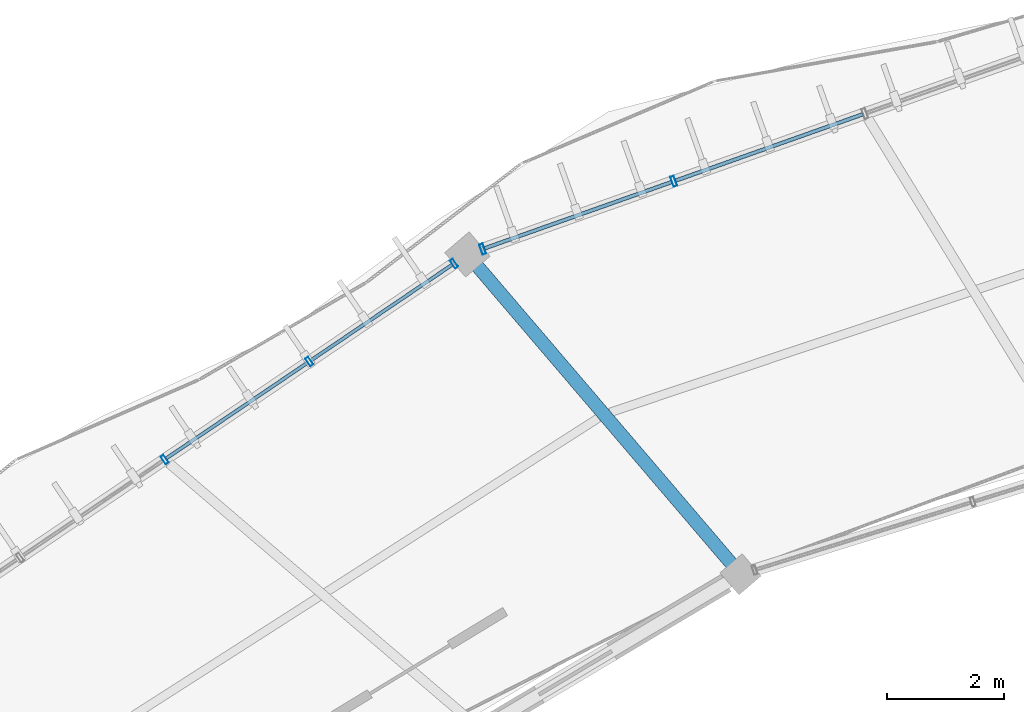
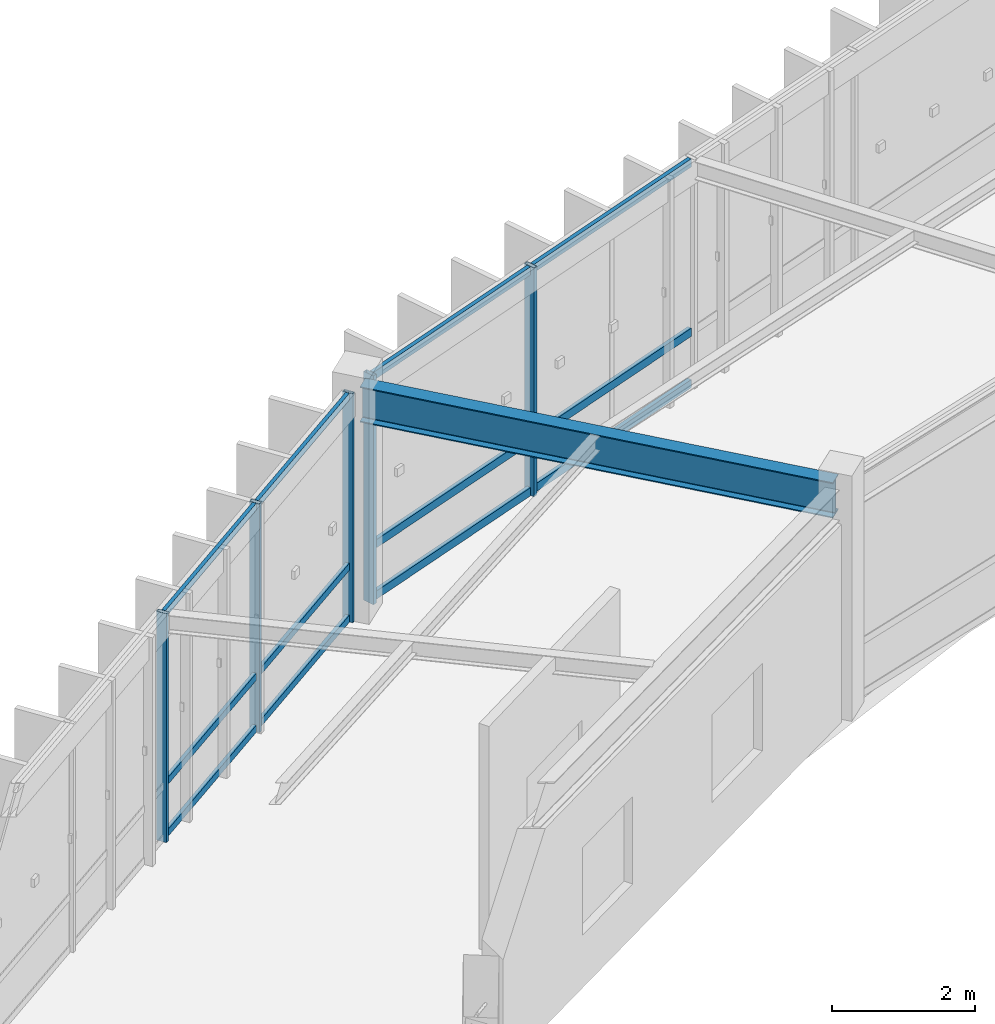
# One storey, part 29 of 79: 17 members, 1 beam, 2 elements without a shape of their own.
"""IFC4 building model written with IfcOpenShell, lengths in metres."""

from ifc_helpers import new_model, si_unit, direction, frame, origin, origin_2d, place, context, subcontext, project, spatial, hollow_rectangle, i_section, extrude, material, material_profile, profile_set, type_object, element, aggregate, save


model = new_model("IFC4")

# Units and contexts
model_context = context("Model", 3, precision=1e-05, world=origin(), true_north=direction((0.0, 1.0)))
body_context = subcontext(model_context, "Body", "Model", "MODEL_VIEW")
ifc_project = project(units=[si_unit("LENGTHUNIT", "METRE"), si_unit("AREAUNIT", "SQUARE_METRE"), si_unit("VOLUMEUNIT", "CUBIC_METRE"), si_unit("PLANEANGLEUNIT", "RADIAN"), si_unit("MASSUNIT", "GRAM", prefix="KILO"), si_unit("THERMODYNAMICTEMPERATUREUNIT", "KELVIN"), si_unit("POWERUNIT", "WATT")], contexts=[model_context])

# Site, building, storey
site_placement = place(None, origin())
site = spatial("IfcSite", under=ifc_project, at=site_placement, CompositionType="ELEMENT")
building_placement = place(site_placement, origin())
building = spatial("IfcBuilding", under=site, at=building_placement, Name="Darbajah Civic Hall", CompositionType="ELEMENT")
storey_placement = place(building_placement, frame((0.0, 0.0, 22.199951171875)))
storey = spatial("IfcBuildingStorey", under=building, at=storey_placement, Name="L05", CompositionType="ELEMENT", Elevation=22.199951171875)

# Curtain wall, members
ifc_material_1 = material(Name="Anodised Bronze Aluminium and Low-E Glazing", Category="aluminium")
curtain_wall_type_1 = type_object("IfcCurtainWallType", Name="Unitised Curtain Wall CW-81 12000x3900", PredefinedType="USERDEFINED", material=ifc_material_1)
curtain_wall_1_placement = place(storey_placement, origin())
curtain_wall_1 = element("IfcCurtainWall", 1, at=curtain_wall_1_placement, inside=storey, type_object=curtain_wall_type_1, Name="L05 unitised curtain wall CW-V1O-L05-07", ObjectType="UNITISED CURTAIN WALL", PredefinedType="USERDEFINED")
ifc_material_2 = material(Name="Anodised Bronze Aluminium", Category="aluminium")
ifc_material_profile_1 = material_profile(ifc_material_2, hollow_rectangle(XDim=0.06005859375, YDim=0.159912109375, WallThickness=0.00341796875, at=origin_2d()), Name="ALU MULLION 60x160")
ifc_profile_set_1 = profile_set([ifc_material_profile_1], Name="Anodised Bronze Aluminium")
member_type_1 = type_object("IfcMemberType", Name="ALU MULLION 60x160", PredefinedType="MULLION", material=ifc_profile_set_1)
member_1_placement = place(storey_placement, frame((55.748779296875, 112.07666015625, 0.0), z_axis=(0.0, 0.0, 1.0), x_axis=(-0.827962472047, -0.560783509816, 0.0)))
member_1 = element("IfcMember", 2, at=member_1_placement, type_object=member_type_1, Name="CW-V1O-L05-07 mullion 1", PredefinedType="MULLION", context=body_context, shape_type="SweptSolid", body=[
    extrude(hollow_rectangle(XDim=0.06005859375, YDim=0.159912109375, WallThickness=0.00341796875, at=origin_2d()), origin(), (0.0, 0.0, 1.0), 3.920166015625),
])
member_2_placement = place(storey_placement, frame((53.272705078125, 110.39990234375, 0.0), z_axis=(0.0, 0.0, 1.0), x_axis=(-0.827962472047, -0.560783509816, 0.0)))
member_2 = element("IfcMember", 3, at=member_2_placement, type_object=member_type_1, Name="CW-V1O-L05-07 mullion 2", PredefinedType="MULLION", context=body_context, shape_type="SweptSolid", body=[
    extrude(hollow_rectangle(XDim=0.06005859375, YDim=0.159912109375, WallThickness=0.00341796875, at=origin_2d()), origin(), (0.0, 0.0, 1.0), 3.920166015625),
])
member_3_placement = place(storey_placement, frame((50.796875, 108.722900390625, 0.0), z_axis=(0.0, 0.0, 1.0), x_axis=(-0.827962472047, -0.560783509816, 0.0)))
member_3 = element("IfcMember", 4, at=member_3_placement, type_object=member_type_1, Name="CW-V1O-L05-07 mullion 3", PredefinedType="MULLION", context=body_context, shape_type="SweptSolid", body=[
    extrude(hollow_rectangle(XDim=0.06005859375, YDim=0.159912109375, WallThickness=0.00341796875, at=origin_2d()), origin(), (0.0, 0.0, 1.0), 3.920166015625),
])

curtain_wall_type_2 = type_object("IfcCurtainWallType", Name="Unitised Curtain Wall CW-80 13900x3900", PredefinedType="USERDEFINED", material=ifc_material_1)
curtain_wall_2_placement = place(storey_placement, origin())
curtain_wall_2 = element("IfcCurtainWall", 5, at=curtain_wall_2_placement, inside=storey, type_object=curtain_wall_type_2, Name="L05 unitised curtain wall CW-V1O-L05-06", ObjectType="UNITISED CURTAIN WALL", PredefinedType="USERDEFINED")
ifc_material_profile_2 = material_profile(ifc_material_2, hollow_rectangle(XDim=0.06494140625, YDim=0.179931640625, WallThickness=0.00390625, at=origin_2d()), Name="ALU MULLION 65x180")
ifc_profile_set_2 = profile_set([ifc_material_profile_2], Name="Anodised Bronze Aluminium")
member_type_2 = type_object("IfcMemberType", Name="ALU MULLION 65x180", PredefinedType="MULLION", material=ifc_profile_set_2)
member_4_placement = place(storey_placement, frame((59.510009765625, 113.48388671875, 0.0), z_axis=(0.0, 0.0, 1.0), x_axis=(-0.94252491309, -0.334135882844, 0.0)))
member_4 = element("IfcMember", 6, at=member_4_placement, type_object=member_type_2, Name="CW-V1O-L05-06 mullion 4", PredefinedType="MULLION", context=body_context, shape_type="SweptSolid", body=[
    extrude(hollow_rectangle(XDim=0.06494140625, YDim=0.179931640625, WallThickness=0.00390625, at=origin_2d()), origin(), (0.0, 0.0, 1.0), 3.920166015625),
])
member_5_placement = place(storey_placement, frame((56.2392578125, 112.324462890625, 0.0), z_axis=(0.0, 0.0, 1.0), x_axis=(-0.94252491309, -0.334135882844, 0.0)))
member_5 = element("IfcMember", 7, at=member_5_placement, type_object=member_type_2, Name="CW-V1O-L05-06 mullion 5", PredefinedType="MULLION", context=body_context, shape_type="SweptSolid", body=[
    extrude(hollow_rectangle(XDim=0.06494140625, YDim=0.179931640625, WallThickness=0.00390625, at=origin_2d()), origin(), (0.0, 0.0, 1.0), 3.920166015625),
])

# Member
ifc_material_profile_3 = material_profile(ifc_material_2, hollow_rectangle(XDim=0.06005859375, YDim=0.1201171875, WallThickness=0.003173828125, at=origin_2d()), Name="ALU TRANSOM 60x120")
ifc_profile_set_3 = profile_set([ifc_material_profile_3], Name="Anodised Bronze Aluminium")
member_type_3 = type_object("IfcMemberType", Name="ALU TRANSOM 60x120", PredefinedType="USERDEFINED", material=ifc_profile_set_3)
member_6_placement = place(storey_placement, frame((55.7197265625, 112.05712890625, 0.06005859375), z_axis=(-0.827963766836, -0.560781598135, 0.0), x_axis=(0.560781598135, -0.827963766836, 0.0)))
member_6 = element("IfcMember", 8, at=member_6_placement, type_object=member_type_3, Name="CW-V1O-L05-07 transom 1.1", ObjectType="TRANSOM", PredefinedType="USERDEFINED", context=body_context, shape_type="SweptSolid", body=[
    extrude(hollow_rectangle(XDim=0.06005859375, YDim=0.1201171875, WallThickness=0.003173828125, at=origin_2d()), origin(), (0.0, 0.0, 1.0), 2.92041015625),
])

member_7_placement = place(storey_placement, frame((55.7197265625, 112.05712890625, 0.949951171875), z_axis=(-0.827963766836, -0.560781598135, 0.0), x_axis=(0.560781598135, -0.827963766836, 0.0)))
member_7 = element("IfcMember", 9, at=member_7_placement, type_object=member_type_3, Name="CW-V1O-L05-07 transom 1.2", ObjectType="TRANSOM", PredefinedType="USERDEFINED", context=body_context, shape_type="SweptSolid", body=[
    extrude(hollow_rectangle(XDim=0.06005859375, YDim=0.1201171875, WallThickness=0.003173828125, at=origin_2d()), origin(), (0.0, 0.0, 1.0), 2.92041015625),
])

member_8_placement = place(storey_placement, frame((55.7197265625, 112.05712890625, 3.860107421875), z_axis=(-0.827963766836, -0.560781598135, 0.0), x_axis=(0.560781598135, -0.827963766836, 0.0)))
member_8 = element("IfcMember", 10, at=member_8_placement, type_object=member_type_3, Name="CW-V1O-L05-07 transom 1.3", ObjectType="TRANSOM", PredefinedType="USERDEFINED", context=body_context, shape_type="SweptSolid", body=[
    extrude(hollow_rectangle(XDim=0.06005859375, YDim=0.1201171875, WallThickness=0.003173828125, at=origin_2d()), origin(), (0.0, 0.0, 1.0), 2.92041015625),
])

member_9_placement = place(storey_placement, frame((53.243896484375, 110.380126953125, 0.06005859375), z_axis=(-0.827990053962, -0.560742784652, 0.0), x_axis=(0.560742784652, -0.827990053962, 0.0)))
member_9 = element("IfcMember", 11, at=member_9_placement, type_object=member_type_3, Name="CW-V1O-L05-07 transom 2.1", ObjectType="TRANSOM", PredefinedType="USERDEFINED", context=body_context, shape_type="SweptSolid", body=[
    extrude(hollow_rectangle(XDim=0.06005859375, YDim=0.1201171875, WallThickness=0.003173828125, at=origin_2d()), origin(), (0.0, 0.0, 1.0), 2.920654296875),
])

member_10_placement = place(storey_placement, frame((53.243896484375, 110.380126953125, 0.949951171875), z_axis=(-0.827990053962, -0.560742784652, 0.0), x_axis=(0.560742784652, -0.827990053962, 0.0)))
member_10 = element("IfcMember", 12, at=member_10_placement, type_object=member_type_3, Name="CW-V1O-L05-07 transom 2.2", ObjectType="TRANSOM", PredefinedType="USERDEFINED", context=body_context, shape_type="SweptSolid", body=[
    extrude(hollow_rectangle(XDim=0.06005859375, YDim=0.1201171875, WallThickness=0.003173828125, at=origin_2d()), origin(), (0.0, 0.0, 1.0), 2.920654296875),
])

member_11_placement = place(storey_placement, frame((53.243896484375, 110.380126953125, 3.860107421875), z_axis=(-0.827990053962, -0.560742784652, 0.0), x_axis=(0.560742784652, -0.827990053962, 0.0)))
member_11 = element("IfcMember", 13, at=member_11_placement, type_object=member_type_3, Name="CW-V1O-L05-07 transom 2.3", ObjectType="TRANSOM", PredefinedType="USERDEFINED", context=body_context, shape_type="SweptSolid", body=[
    extrude(hollow_rectangle(XDim=0.06005859375, YDim=0.1201171875, WallThickness=0.003173828125, at=origin_2d()), origin(), (0.0, 0.0, 1.0), 2.920654296875),
])

aggregate(curtain_wall_1, [member_1, member_2, member_3, member_6, member_7, member_8, member_9, member_10, member_11])

ifc_material_profile_4 = material_profile(ifc_material_2, hollow_rectangle(XDim=0.06494140625, YDim=0.139892578125, WallThickness=0.00341796875, at=origin_2d()), Name="ALU TRANSOM 65x140")
ifc_profile_set_4 = profile_set([ifc_material_profile_4], Name="Anodised Bronze Aluminium")
member_type_4 = type_object("IfcMemberType", Name="ALU TRANSOM 65x140", PredefinedType="USERDEFINED", material=ifc_profile_set_4)
member_12_placement = place(storey_placement, frame((62.745361328125, 114.630615234375, 0.070068359375), z_axis=(-0.942546112264, -0.334076078546, 0.0), x_axis=(0.334076078546, -0.942546112264, 0.0)))
member_12 = element("IfcMember", 14, at=member_12_placement, type_object=member_type_4, Name="CW-V1O-L05-06 transom 3.1", ObjectType="TRANSOM", PredefinedType="USERDEFINED", context=body_context, shape_type="SweptSolid", body=[
    extrude(hollow_rectangle(XDim=0.06494140625, YDim=0.139892578125, WallThickness=0.00341796875, at=origin_2d()), origin(), (0.0, 0.0, 1.0), 3.395263671875),
])

member_13_placement = place(storey_placement, frame((62.745361328125, 114.630615234375, 0.949951171875), z_axis=(-0.942546112264, -0.334076078546, 0.0), x_axis=(0.334076078546, -0.942546112264, 0.0)))
member_13 = element("IfcMember", 15, at=member_13_placement, type_object=member_type_4, Name="CW-V1O-L05-06 transom 3.2", ObjectType="TRANSOM", PredefinedType="USERDEFINED", context=body_context, shape_type="SweptSolid", body=[
    extrude(hollow_rectangle(XDim=0.06494140625, YDim=0.139892578125, WallThickness=0.00341796875, at=origin_2d()), origin(), (0.0, 0.0, 1.0), 3.395263671875),
])

member_14_placement = place(storey_placement, frame((62.745361328125, 114.630615234375, 3.85009765625), z_axis=(-0.942546112264, -0.334076078546, 0.0), x_axis=(0.334076078546, -0.942546112264, 0.0)))
member_14 = element("IfcMember", 16, at=member_14_placement, type_object=member_type_4, Name="CW-V1O-L05-06 transom 3.3", ObjectType="TRANSOM", PredefinedType="USERDEFINED", context=body_context, shape_type="SweptSolid", body=[
    extrude(hollow_rectangle(XDim=0.06494140625, YDim=0.139892578125, WallThickness=0.00341796875, at=origin_2d()), origin(), (0.0, 0.0, 1.0), 3.395263671875),
])

member_15_placement = place(storey_placement, frame((59.474609375, 113.47119140625, 0.070068359375), z_axis=(-0.942546112264, -0.334076078546, 0.0), x_axis=(0.334076078546, -0.942546112264, 0.0)))
member_15 = element("IfcMember", 17, at=member_15_placement, type_object=member_type_4, Name="CW-V1O-L05-06 transom 4.1", ObjectType="TRANSOM", PredefinedType="USERDEFINED", context=body_context, shape_type="SweptSolid", body=[
    extrude(hollow_rectangle(XDim=0.06494140625, YDim=0.139892578125, WallThickness=0.00341796875, at=origin_2d()), origin(), (0.0, 0.0, 1.0), 3.395263671875),
])

member_16_placement = place(storey_placement, frame((59.474609375, 113.47119140625, 0.949951171875), z_axis=(-0.942546112264, -0.334076078546, 0.0), x_axis=(0.334076078546, -0.942546112264, 0.0)))
member_16 = element("IfcMember", 18, at=member_16_placement, type_object=member_type_4, Name="CW-V1O-L05-06 transom 4.2", ObjectType="TRANSOM", PredefinedType="USERDEFINED", context=body_context, shape_type="SweptSolid", body=[
    extrude(hollow_rectangle(XDim=0.06494140625, YDim=0.139892578125, WallThickness=0.00341796875, at=origin_2d()), origin(), (0.0, 0.0, 1.0), 3.395263671875),
])

member_17_placement = place(storey_placement, frame((59.474609375, 113.47119140625, 3.85009765625), z_axis=(-0.942546112264, -0.334076078546, 0.0), x_axis=(0.334076078546, -0.942546112264, 0.0)))
member_17 = element("IfcMember", 19, at=member_17_placement, type_object=member_type_4, Name="CW-V1O-L05-06 transom 4.3", ObjectType="TRANSOM", PredefinedType="USERDEFINED", context=body_context, shape_type="SweptSolid", body=[
    extrude(hollow_rectangle(XDim=0.06494140625, YDim=0.139892578125, WallThickness=0.00341796875, at=origin_2d()), origin(), (0.0, 0.0, 1.0), 3.395263671875),
])

aggregate(curtain_wall_2, [member_4, member_5, member_12, member_13, member_14, member_15, member_16, member_17])

# Beam
ifc_material_3 = material(Name="Steel S355JR", Category="steel")
ifc_material_profile_5 = material_profile(ifc_material_3, i_section(OverallWidth=0.228271484375, OverallDepth=0.607666015625, WebThickness=0.010986328125, FlangeThickness=0.017333984375, FilletRadius=0.0126953125, at=origin_2d()), Name="UB 610x229x113")
ifc_profile_set_5 = profile_set([ifc_material_profile_5], Name="Steel S355JR")
beam_type = type_object("IfcBeamType", Name="UB 610x229x113", PredefinedType="BEAM", material=ifc_profile_set_5)
beam_placement = place(storey_placement, frame((60.602294921875, 106.81787109375, 3.6162109375), z_axis=(-0.649459534081, 0.760396155692, 0.0), x_axis=(-0.760396155692, -0.649459534081, 0.0)))
element("IfcBeam", 20, at=beam_placement, inside=storey, type_object=beam_type, Name="L05 beam SB-610", PredefinedType="BEAM", context=body_context, shape_type="SweptSolid", body=[
    extrude(i_section(OverallWidth=0.228271484375, OverallDepth=0.607666015625, WebThickness=0.010986328125, FlangeThickness=0.017333984375, FilletRadius=0.0126953125, at=origin_2d()), origin(), (0.0, 0.0, 1.0), 7.0400390625),
])

save(model, "model.ifc")
